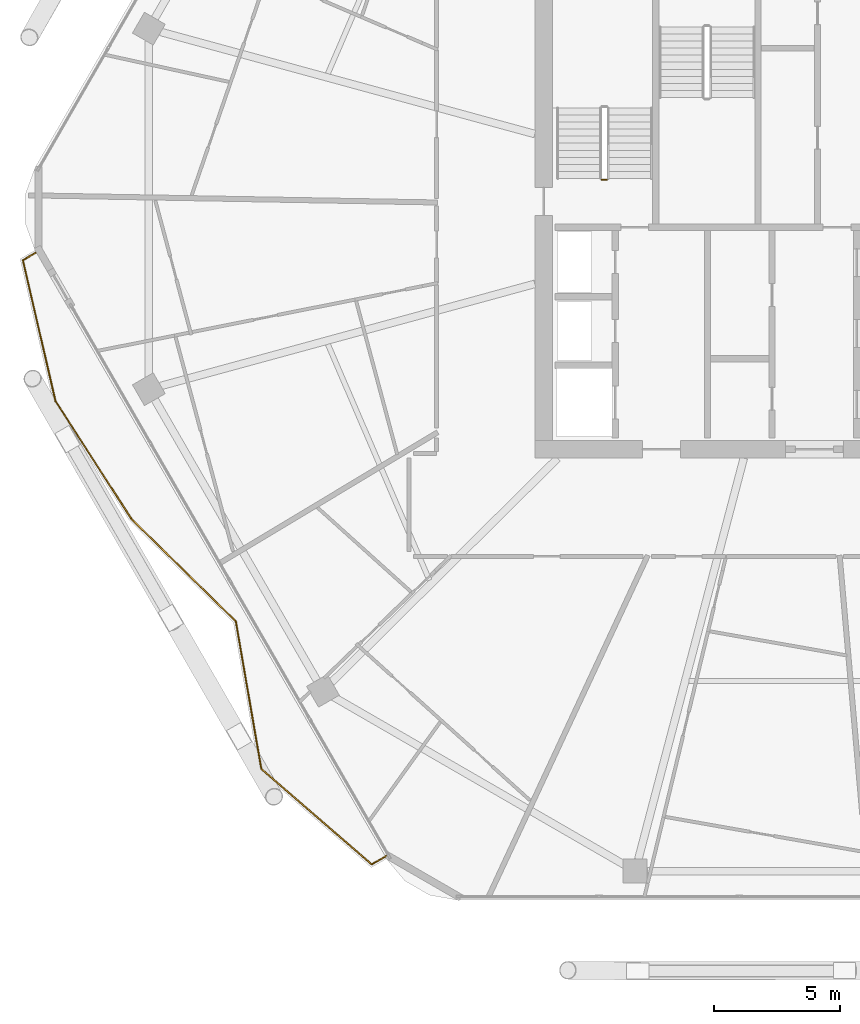
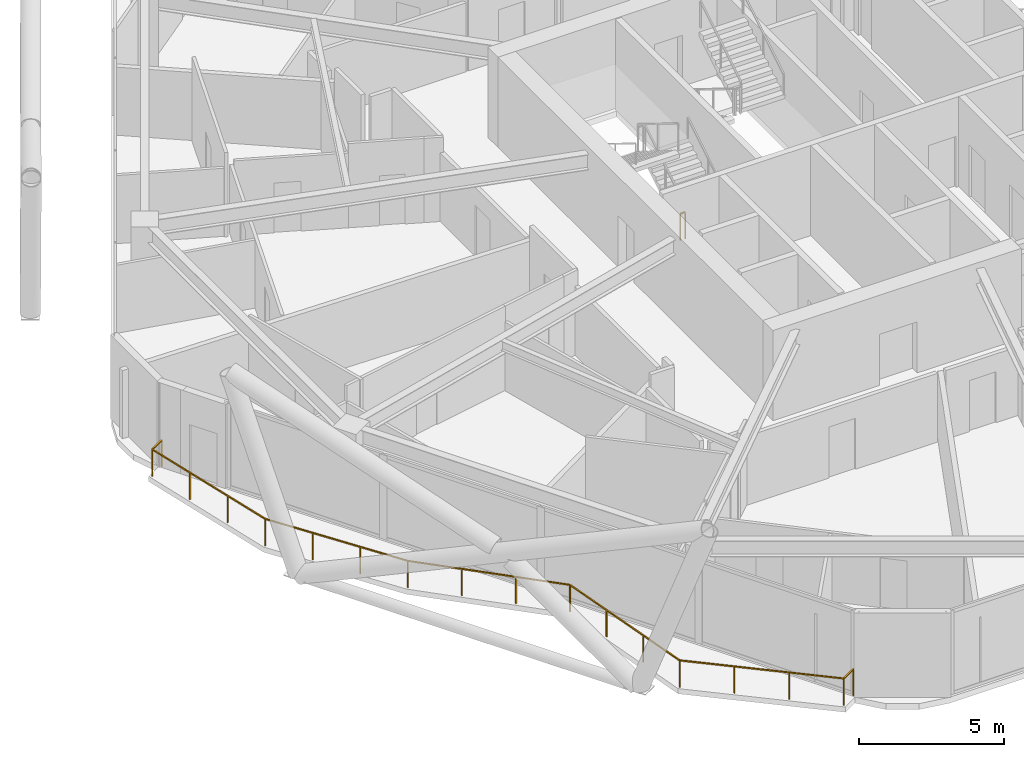
# One storey, part 25 of 27: 2 railings.
"""IFC4 building model written with IfcOpenShell, lengths in metres."""

from ifc_helpers import new_model, si_unit, direction, frame, origin, origin_2d, place, context, subcontext, project, spatial, rectangle, extrude, material, type_object, element, save


model = new_model("IFC4")

# Units and contexts
model_context = context("Model", 3, precision=1e-05, world=origin(), true_north=direction((0.0, 1.0)))
body_context = subcontext(model_context, "Body", "Model", "MODEL_VIEW")
ifc_project = project(units=[si_unit("LENGTHUNIT", "METRE"), si_unit("AREAUNIT", "SQUARE_METRE"), si_unit("VOLUMEUNIT", "CUBIC_METRE"), si_unit("PLANEANGLEUNIT", "RADIAN"), si_unit("MASSUNIT", "GRAM", prefix="KILO")], contexts=[model_context])

# Site, building, storey
site_placement = place(None, origin())
site = spatial("IfcSite", under=ifc_project, at=site_placement, CompositionType="ELEMENT")
building_placement = place(site_placement, origin())
building = spatial("IfcBuilding", under=site, at=building_placement, Name="Zuhravey Tower", CompositionType="ELEMENT")
storey_placement = place(building_placement, frame((0.0, 0.0, 215.0)))
storey = spatial("IfcBuildingStorey", under=building, at=storey_placement, Name="L54", CompositionType="ELEMENT", Elevation=215.0)

# Railings
ifc_material_1 = material(Name="Stainless steel 316 and laminated glass", Category="steel")
railing_type_1 = type_object("IfcRailingType", Name="Balcony & Terrace Guardrail 1150", PredefinedType="BALUSTRADE", material=ifc_material_1)
railing_1_placement = place(storey_placement, frame((19.280029296875, 6.423583984375, 0.0)))
element("IfcRailing", 1, at=railing_1_placement, inside=storey, type_object=railing_type_1, Name="L54 Face 4 Wave Balcony Guardrail GR1", PredefinedType="BALUSTRADE", context=body_context, shape_type="SweptSolid", body=[
    extrude(rectangle(XDim=0.048095703125, YDim=0.048095703125, at=origin_2d()), frame((-0.001708984375, -0.0009765625, 1.1259765625), z_axis=(-0.865942374699, -0.500143783026, 0.0), x_axis=(0.500143783026, -0.865942374699, 0.0)), (0.0, 0.0, 1.0), 0.664794921875),
    extrude(rectangle(XDim=0.048095703125, YDim=0.048095703125, at=origin_2d()), frame((-0.58056640625, -0.333251953125, 1.1259765625), z_axis=(-0.755915092406, 0.654669667139, 0.0), x_axis=(-0.654669667139, -0.755915092406, 0.0)), (0.0, 0.0, 1.0), 5.768798828125),
    extrude(rectangle(XDim=0.048095703125, YDim=0.048095703125, at=origin_2d()), frame((-4.943115234375, 3.44677734375, 1.1259765625), z_axis=(-0.170210903262, 0.985407655953, 0.0), x_axis=(-0.985407655953, -0.170210903262, 0.0)), (0.0, 0.0, 1.0), 5.91259765625),
    extrude(rectangle(XDim=0.048095703125, YDim=0.048095703125, at=origin_2d()), frame((-5.951416015625, 9.276611328125, 1.1259765625), z_axis=(-0.713489582737, 0.700665837133, 0.0), x_axis=(-0.700665837133, -0.713489582737, 0.0)), (0.0, 0.0, 1.0), 5.78369140625),
    extrude(rectangle(XDim=0.048095703125, YDim=0.048095703125, at=origin_2d()), frame((-10.080322265625, 13.33203125, 1.1259765625), z_axis=(-0.542032406783, 0.840357584601, 0.0), x_axis=(-0.840357584601, -0.542032406783, 0.0)), (0.0, 0.0, 1.0), 5.52978515625),
    extrude(rectangle(XDim=0.048095703125, YDim=0.048095703125, at=origin_2d()), frame((-13.079345703125, 17.982666015625, 1.1259765625), z_axis=(-0.225227453724, 0.974306211665, 0.0), x_axis=(-0.974306211665, -0.225227453724, 0.0)), (0.0, 0.0, 1.0), 5.7138671875),
    extrude(rectangle(XDim=0.048095703125, YDim=0.048095703125, at=origin_2d()), frame((-14.364990234375, 23.552734375, 1.1259765625), z_axis=(0.86597798544, 0.50008212199, 0.0), x_axis=(-0.50008212199, 0.86597798544, 0.0)), (0.0, 0.0, 1.0), 0.661865234375),
    extrude(rectangle(XDim=0.0419921875, YDim=0.0419921875, at=origin_2d()), origin(), (0.0, 0.0, 1.0), 1.099853515625),
    extrude(rectangle(XDim=0.0419921875, YDim=0.0419921875, at=origin_2d()), frame((-0.5791015625, -0.33447265625, 0.0)), (0.0, 0.0, 1.0), 1.099853515625),
    extrude(rectangle(XDim=0.0419921875, YDim=0.0419921875, at=origin_2d()), frame((-2.03369140625, 0.92529296875, 0.0)), (0.0, 0.0, 1.0), 1.099853515625),
    extrude(rectangle(XDim=0.0419921875, YDim=0.0419921875, at=origin_2d()), frame((-3.48828125, 2.18505859375, 0.0)), (0.0, 0.0, 1.0), 1.099853515625),
    extrude(rectangle(XDim=0.0419921875, YDim=0.0419921875, at=origin_2d()), frame((-4.94287109375, 3.44482421875, 0.0)), (0.0, 0.0, 1.0), 1.099853515625),
    extrude(rectangle(XDim=0.0419921875, YDim=0.0419921875, at=origin_2d()), frame((-5.278564453125, 5.38818359375, 0.0)), (0.0, 0.0, 1.0), 1.099853515625),
    extrude(rectangle(XDim=0.0419921875, YDim=0.0419921875, at=origin_2d()), frame((-5.6142578125, 7.331787109375, 0.0)), (0.0, 0.0, 1.0), 1.099853515625),
    extrude(rectangle(XDim=0.0419921875, YDim=0.0419921875, at=origin_2d()), frame((-5.949951171875, 9.275146484375, 0.0)), (0.0, 0.0, 1.0), 1.099853515625),
    extrude(rectangle(XDim=0.0419921875, YDim=0.0419921875, at=origin_2d()), frame((-7.326416015625, 10.626953125, 0.0)), (0.0, 0.0, 1.0), 1.099853515625),
    extrude(rectangle(XDim=0.0419921875, YDim=0.0419921875, at=origin_2d()), frame((-8.702880859375, 11.978515625, 0.0)), (0.0, 0.0, 1.0), 1.099853515625),
    extrude(rectangle(XDim=0.0419921875, YDim=0.0419921875, at=origin_2d()), frame((-10.079345703125, 13.330322265625, 0.0)), (0.0, 0.0, 1.0), 1.099853515625),
    extrude(rectangle(XDim=0.0419921875, YDim=0.0419921875, at=origin_2d()), frame((-11.0791015625, 14.88037109375, 0.0)), (0.0, 0.0, 1.0), 1.099853515625),
    extrude(rectangle(XDim=0.0419921875, YDim=0.0419921875, at=origin_2d()), frame((-12.0791015625, 16.4306640625, 0.0)), (0.0, 0.0, 1.0), 1.099853515625),
    extrude(rectangle(XDim=0.0419921875, YDim=0.0419921875, at=origin_2d()), frame((-13.078857421875, 17.980712890625, 0.0)), (0.0, 0.0, 1.0), 1.099853515625),
    extrude(rectangle(XDim=0.0419921875, YDim=0.0419921875, at=origin_2d()), frame((-13.508056640625, 19.837646484375, 0.0)), (0.0, 0.0, 1.0), 1.099853515625),
    extrude(rectangle(XDim=0.0419921875, YDim=0.0419921875, at=origin_2d()), frame((-13.9375, 21.69482421875, 0.0)), (0.0, 0.0, 1.0), 1.099853515625),
    extrude(rectangle(XDim=0.0419921875, YDim=0.0419921875, at=origin_2d()), frame((-14.36669921875, 23.5517578125, 0.0)), (0.0, 0.0, 1.0), 1.099853515625),
    extrude(rectangle(XDim=0.0419921875, YDim=0.0419921875, at=origin_2d()), frame((-13.7900390625, 23.884765625, 0.0)), (0.0, 0.0, 1.0), 1.099853515625),
])
ifc_material_2 = material(Name="Painted tubular steel", Category="steel")
railing_type_2 = type_object("IfcRailingType", Name="Stair Well Guardrail 1150", PredefinedType="GUARDRAIL", material=ifc_material_2)
railing_2_placement = place(storey_placement, frame((28.0, 33.14990234375, 0.0)))
element("IfcRailing", 2, at=railing_2_placement, inside=storey, type_object=railing_type_2, Name="L54 ST1 stair guard 4", PredefinedType="GUARDRAIL", context=body_context, shape_type="SweptSolid", body=[
    extrude(rectangle(XDim=0.048095703125, YDim=0.048095703125, at=origin_2d()), frame((-0.001953125, 0.0, 1.1259765625), z_axis=(-1.0, 0.0, 0.0), x_axis=(0.0, -1.0, 0.0)), (0.0, 0.0, 1.0), 0.196044921875),
    extrude(rectangle(XDim=0.0419921875, YDim=0.0419921875, at=origin_2d()), origin(), (0.0, 0.0, 1.0), 1.099853515625),
    extrude(rectangle(XDim=0.0419921875, YDim=0.0419921875, at=origin_2d()), frame((-0.199951171875, 0.0, 0.0)), (0.0, 0.0, 1.0), 1.099853515625),
])

save(model, "model.ifc")
